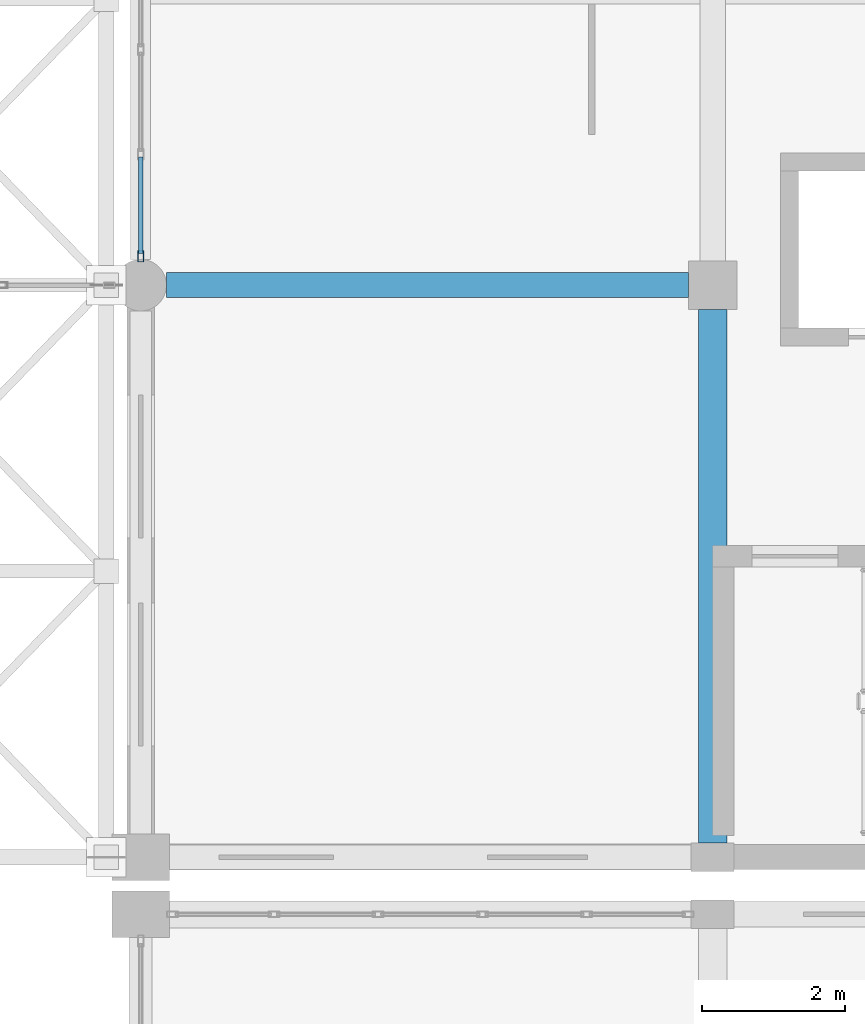
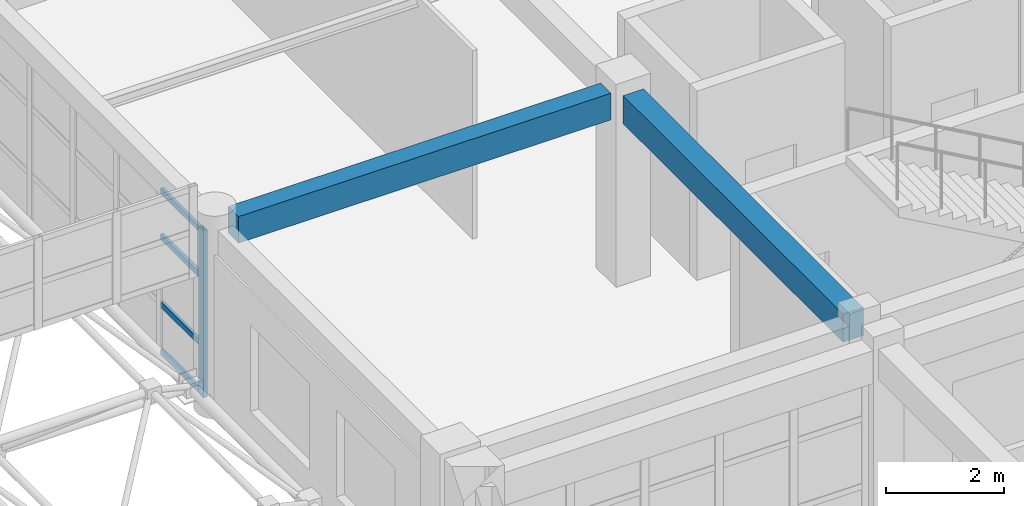
# One storey, part 65 of 195: 5 members, 2 beams, 1 element without a shape of its own.
"""IFC4 building model written with IfcOpenShell, lengths in metres."""

from ifc_helpers import new_model, si_unit, direction, frame, origin, origin_2d, place, context, subcontext, project, spatial, rectangle, hollow_rectangle, extrude, material, material_profile, profile_set, type_object, element, aggregate, save


model = new_model("IFC4")

# Units and contexts
model_context = context("Model", 3, precision=1e-05, world=origin(), true_north=direction((0.0, 1.0)))
body_context = subcontext(model_context, "Body", "Model", "MODEL_VIEW")
ifc_project = project(units=[si_unit("LENGTHUNIT", "METRE"), si_unit("AREAUNIT", "SQUARE_METRE"), si_unit("VOLUMEUNIT", "CUBIC_METRE"), si_unit("PLANEANGLEUNIT", "RADIAN"), si_unit("MASSUNIT", "GRAM", prefix="KILO")], contexts=[model_context])

# Site, building, storey
site_placement = place(None, origin())
site = spatial("IfcSite", under=ifc_project, at=site_placement, CompositionType="ELEMENT")
building_placement = place(site_placement, origin())
building = spatial("IfcBuilding", under=site, at=building_placement, Name="Kharva Crest Polytechnic", CompositionType="ELEMENT")
storey_placement = place(building_placement, frame((0.0, 0.0, 9.0)))
storey = spatial("IfcBuildingStorey", under=building, at=storey_placement, Name="L02", CompositionType="ELEMENT", Elevation=9.0)

# Beams
ifc_material_1 = material(Name="Concrete C35/45", Category="concrete")
ifc_material_profile_1 = material_profile(ifc_material_1, rectangle(XDim=0.35009765625, YDim=0.550048828125, at=origin_2d()), Name="RECT 350 X 550")
ifc_profile_set_1 = profile_set([ifc_material_profile_1], Name="Concrete C35/45")
beam_type_1 = type_object("IfcBeamType", Name="BM-RC-350X550", PredefinedType="BEAM", material=ifc_profile_set_1)
beam_1_placement = place(storey_placement, frame((32.360107421875, 46.800048828125, 3.64501953125), z_axis=(1.0, 0.0, 0.0), x_axis=(0.0, 1.0, 0.0)))
element("IfcBeam", 1, at=beam_1_placement, inside=storey, type_object=beam_type_1, Name="L02 Beam G/5-6", PredefinedType="BEAM", context=body_context, shape_type="SweptSolid", body=[
    extrude(rectangle(XDim=0.35009765625, YDim=0.550048828125, at=origin_2d()), origin(), (0.0, 0.0, 1.0), 7.2998046875),
])
ifc_material_profile_2 = material_profile(ifc_material_1, rectangle(XDim=0.39990234375, YDim=0.580078125, at=origin_2d()), Name="RECT 400 X 580")
ifc_profile_set_2 = profile_set([ifc_material_profile_2], Name="Concrete C35/45")
beam_type_2 = type_object("IfcBeamType", Name="BM-RC-400X580", PredefinedType="BEAM", material=ifc_profile_set_2)
beam_2_placement = place(storey_placement, frame((40.0, 39.0, 3.6298828125), z_axis=(0.0, 1.0, 0.0), x_axis=(-1.0, 0.0, 0.0)))
element("IfcBeam", 2, at=beam_2_placement, inside=storey, type_object=beam_type_2, Name="L02 Girder 6/FJ-G", PredefinedType="BEAM", context=body_context, shape_type="SweptSolid", body=[
    extrude(rectangle(XDim=0.39990234375, YDim=0.580078125, at=origin_2d()), origin(), (0.0, 0.0, 1.0), 7.4599609375),
])

# Curtain wall, members
ifc_material_2 = material(Name="Tempered insulated glass", Category="glass")
curtain_wall_type = type_object("IfcCurtainWallType", Name="CW-SYS-COURT", PredefinedType="USERDEFINED", material=ifc_material_2)
curtain_wall_placement = place(storey_placement, origin())
curtain_wall = element("IfcCurtainWall", 3, at=curtain_wall_placement, inside=storey, type_object=curtain_wall_type, Name="L02 Glazed Curtain Wall CW-100", ObjectType="CURTAIN WALL", PredefinedType="USERDEFINED")
ifc_material_3 = material(Name="Steel S355", Category="steel")
ifc_material_profile_3 = material_profile(ifc_material_3, hollow_rectangle(XDim=0.080078125, YDim=0.159912109375, WallThickness=0.0048828125, at=origin_2d()), Name="RHS 160X80X5.0")
ifc_profile_set_3 = profile_set([ifc_material_profile_3], Name="Steel S355")
member_type_1 = type_object("IfcMemberType", Name="CWM-RHS160X80", PredefinedType="MULLION", material=ifc_profile_set_3)
member_1_placement = place(storey_placement, frame((32.0, 47.205078125, 0.0), z_axis=(0.0, 0.0, 1.0), x_axis=(1.0, 0.0, 0.0)))
member_1 = element("IfcMember", 4, at=member_1_placement, type_object=member_type_1, Name="CW-100 mullion 6", PredefinedType="MULLION", context=body_context, shape_type="SweptSolid", body=[
    extrude(hollow_rectangle(XDim=0.080078125, YDim=0.159912109375, WallThickness=0.0048828125, at=origin_2d()), origin(), (0.0, 0.0, 1.0), 3.4599609375),
])
ifc_material_profile_4 = material_profile(ifc_material_3, hollow_rectangle(XDim=0.06005859375, YDim=0.1201171875, WallThickness=0.00390625, at=origin_2d()), Name="RHS 120X60X4.0")
ifc_profile_set_4 = profile_set([ifc_material_profile_4], Name="Steel S355")
member_type_2 = type_object("IfcMemberType", Name="CWT-RHS120X60", PredefinedType="USERDEFINED", material=ifc_profile_set_4)
member_2_placement = place(storey_placement, frame((32.0, 48.591064453125, 0.06005859375), z_axis=(0.0, -1.0, 0.0), x_axis=(1.0, 0.0, 0.0)))
member_2 = element("IfcMember", 5, at=member_2_placement, type_object=member_type_2, Name="CW-100 transom 5.1", ObjectType="TRANSOM", PredefinedType="USERDEFINED", context=body_context, shape_type="SweptSolid", body=[
    extrude(hollow_rectangle(XDim=0.06005859375, YDim=0.1201171875, WallThickness=0.00390625, at=origin_2d()), origin(), (0.0, 0.0, 1.0), 1.345947265625),
])
member_3_placement = place(storey_placement, frame((32.0, 48.591064453125, 1.050048828125), z_axis=(0.0, -1.0, 0.0), x_axis=(1.0, 0.0, 0.0)))
member_3 = element("IfcMember", 6, at=member_3_placement, type_object=member_type_2, Name="CW-100 transom 5.2", ObjectType="TRANSOM", PredefinedType="USERDEFINED", context=body_context, shape_type="SweptSolid", body=[
    extrude(hollow_rectangle(XDim=0.06005859375, YDim=0.1201171875, WallThickness=0.00390625, at=origin_2d()), origin(), (0.0, 0.0, 1.0), 1.345947265625),
])
member_4_placement = place(storey_placement, frame((32.0, 48.591064453125, 2.449951171875), z_axis=(0.0, -1.0, 0.0), x_axis=(1.0, 0.0, 0.0)))
member_4 = element("IfcMember", 7, at=member_4_placement, type_object=member_type_2, Name="CW-100 transom 5.3", ObjectType="TRANSOM", PredefinedType="USERDEFINED", context=body_context, shape_type="SweptSolid", body=[
    extrude(hollow_rectangle(XDim=0.06005859375, YDim=0.1201171875, WallThickness=0.00390625, at=origin_2d()), origin(), (0.0, 0.0, 1.0), 1.345947265625),
])
member_5_placement = place(storey_placement, frame((32.0, 48.591064453125, 3.39990234375), z_axis=(0.0, -1.0, 0.0), x_axis=(1.0, 0.0, 0.0)))
member_5 = element("IfcMember", 8, at=member_5_placement, type_object=member_type_2, Name="CW-100 transom 5.4", ObjectType="TRANSOM", PredefinedType="USERDEFINED", context=body_context, shape_type="SweptSolid", body=[
    extrude(hollow_rectangle(XDim=0.06005859375, YDim=0.1201171875, WallThickness=0.00390625, at=origin_2d()), origin(), (0.0, 0.0, 1.0), 1.345947265625),
])
aggregate(curtain_wall, [member_1, member_2, member_3, member_4, member_5])

save(model, "model.ifc")
